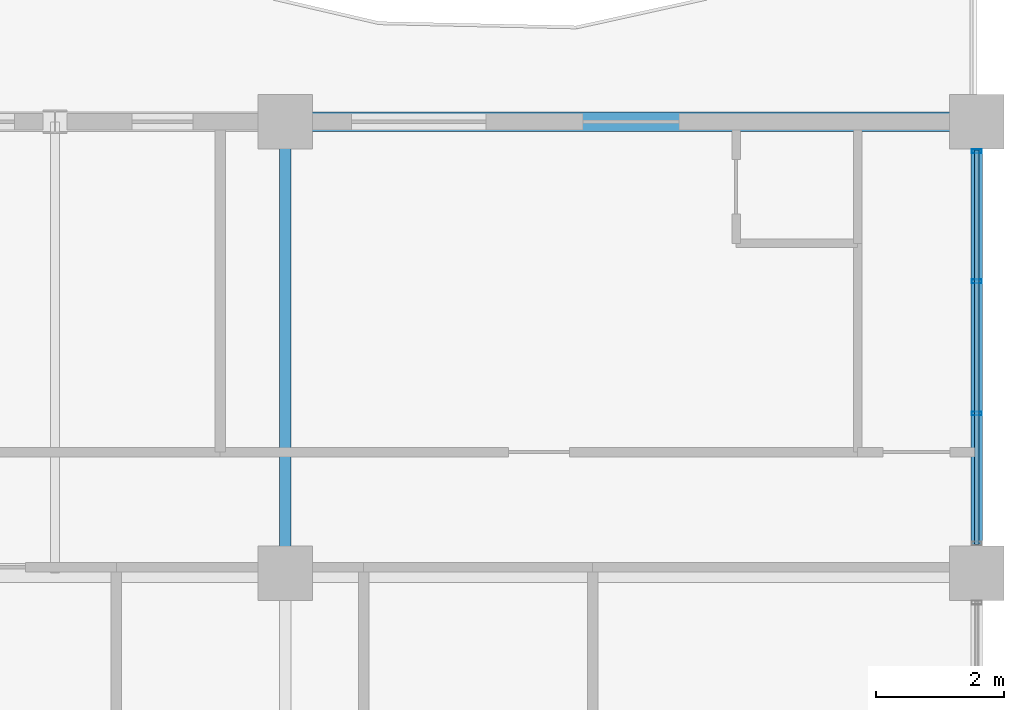
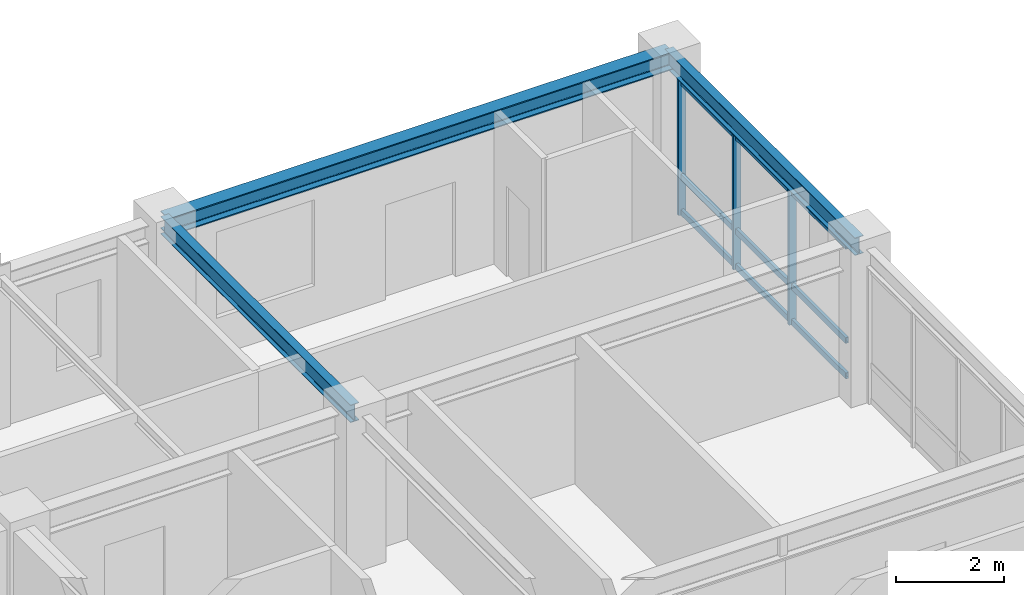
# One storey, part 4 of 11: 6 members, 3 beams, 1 element without a shape of its own.
"""IFC4 building model written with IfcOpenShell, lengths in metres."""

from ifc_helpers import new_model, si_unit, direction, frame, origin, origin_2d, place, context, subcontext, project, spatial, hollow_rectangle, i_section, extrude, source, transform, mapped, material, layer, layer_set, material_profile, profile_set, type_object, element, aggregate, save


model = new_model("IFC4")

# Units and contexts
model_context = context("Model", 3, precision=1e-05, world=origin(), true_north=direction((0.0, 1.0)))
body_context = subcontext(model_context, "Body", "Model", "MODEL_VIEW")
ifc_project = project(units=[si_unit("LENGTHUNIT", "METRE"), si_unit("AREAUNIT", "SQUARE_METRE"), si_unit("VOLUMEUNIT", "CUBIC_METRE"), si_unit("PLANEANGLEUNIT", "RADIAN"), si_unit("MASSUNIT", "GRAM", prefix="KILO")], contexts=[model_context])

# Site, building, storey
site_placement = place(None, origin())
site = spatial("IfcSite", under=ifc_project, at=site_placement, CompositionType="ELEMENT")
building_placement = place(site_placement, origin())
building = spatial("IfcBuilding", under=site, at=building_placement, Name="Kaliganga Portal Commons", CompositionType="ELEMENT")
storey_placement = place(building_placement, frame((0.0, 0.0, 257.300048828125)))
storey = spatial("IfcBuildingStorey", under=building, at=storey_placement, Name="L66", CompositionType="ELEMENT", Elevation=257.300048828125)

# Beams
ifc_material_1 = material(Name="Structural steel S355J2", Category="steel")
ifc_material_profile_1 = material_profile(ifc_material_1, i_section(OverallWidth=0.300048828125, OverallDepth=0.39990234375, WebThickness=0.013427734375, FlangeThickness=0.02392578125, FilletRadius=0.027099609375, at=origin_2d()), Name="HE 400 B")
ifc_profile_set_1 = profile_set([ifc_material_profile_1], Name="Structural steel S355J2 wide-flange")
beam_type_1 = type_object("IfcBeamType", Name="BM-SPAND-400", PredefinedType="SPANDREL", material=ifc_profile_set_1)
shared_shape_1 = source(origin(), body_context, "Body", "SweptSolid", [
    extrude(i_section(OverallWidth=0.300048828125, OverallDepth=0.39990234375, WebThickness=0.013427734375, FlangeThickness=0.02392578125, FilletRadius=0.027099609375, at=origin_2d()), origin(), (0.0, 0.0, 1.0), 10.800048828125),
])
beam_placement = place(storey_placement, frame((36.0, 43.199951171875, 3.27490234375), z_axis=(1.0, 0.0, 0.0), x_axis=(0.0, 1.0, 0.0)))
element("IfcBeam", 1, at=beam_placement, inside=storey, type_object=beam_type_1, Name="BM SP L66 AN 7", PredefinedType="SPANDREL", context=body_context, shape_type="MappedRepresentation", body=[
    mapped(shared_shape_1, transform((0.0, 0.0, 0.0), x_axis=(1.0, 0.0, 0.0), y_axis=(0.0, 1.0, 0.0), z_axis=(0.0, 0.0, 1.0), scale=1.0)),
])
ifc_material_profile_2 = material_profile(ifc_material_1, i_section(OverallWidth=0.179931640625, OverallDepth=0.39990234375, WebThickness=0.008544921875, FlangeThickness=0.013427734375, FilletRadius=0.02099609375, at=origin_2d()), Name="IPE 400")
ifc_profile_set_2 = profile_set([ifc_material_profile_2], Name="Structural steel S355J2 wide-flange")
beam_type_2 = type_object("IfcBeamType", Name="BM-FLR-400", PredefinedType="BEAM", material=ifc_profile_set_2)
shared_shape_2 = source(origin(), body_context, "Body", "SweptSolid", [
    extrude(i_section(OverallWidth=0.179931640625, OverallDepth=0.39990234375, WebThickness=0.008544921875, FlangeThickness=0.013427734375, FilletRadius=0.02099609375, at=origin_2d()), origin(), (0.0, 0.0, 1.0), 7.050048828125),
])
for number, where, z_axis, x_axis, name in (
    (2, (36.0, 36.14990234375, 3.27490234375), (0.0, 1.0, 0.0), (-1.0, 0.0, 0.0), "BM G L66 AN360"),
    (3, (46.800048828125, 36.14990234375, 3.27490234375), (0.0, 1.0, 0.0), (-1.0, 0.0, 0.0), "BM G L66 AN468"),
):
    element("IfcBeam", number, at=place(storey_placement, frame(where, z_axis=z_axis, x_axis=x_axis)), inside=storey, type_object=beam_type_2, Name=name, PredefinedType="BEAM", context=body_context, shape_type="MappedRepresentation", body=[
        mapped(shared_shape_2, transform((0.0, 0.0, 0.0), x_axis=(1.0, 0.0, 0.0), y_axis=(0.0, 1.0, 0.0), z_axis=(0.0, 0.0, 1.0), scale=1.0)),
    ])

# Curtain wall, members
ifc_material_2 = material(Name="Anodized Aluminium and Laminated Low-E Glass", Category="aluminium")
ifc_layer = layer(ifc_material_2, 0.18994140625)
ifc_layer_set = layer_set([ifc_layer], Name="Anodized Aluminium and Laminated Low-E Glass")
curtain_wall_type = type_object("IfcCurtainWallType", Name="CW-SYS-05", PredefinedType="NOTDEFINED", material=ifc_layer_set)
curtain_wall_placement = place(storey_placement, origin())
curtain_wall = element("IfcCurtainWall", 4, at=curtain_wall_placement, inside=storey, type_object=curtain_wall_type, Name="CW 05 L66 P1E01S3", PredefinedType="NOTDEFINED")
ifc_material_3 = material(Name="Dark Bronze Anodized Aluminium", Category="aluminium")
ifc_material_profile_3 = material_profile(ifc_material_3, hollow_rectangle(XDim=0.06005859375, YDim=0.159912109375, WallThickness=0.00341796875, at=origin_2d()), Name="ALU MULL 60x160x3.5")
ifc_profile_set_3 = profile_set([ifc_material_profile_3], Name="Dark Bronze Anodized Aluminium")
member_type_1 = type_object("IfcMemberType", Name="CW-MUL-160", PredefinedType="MULLION", material=ifc_profile_set_3)
shared_shape_3 = source(origin(), body_context, "Body", "SweptSolid", [
    extrude(hollow_rectangle(XDim=0.06005859375, YDim=0.159912109375, WallThickness=0.00341796875, at=origin_2d()), origin(), (0.0, 0.0, 1.0), 3.074951171875),
])
member_1_placement = place(storey_placement, frame((46.800048828125, 38.64208984375, 0.0), z_axis=(0.0, 0.0, 1.0), x_axis=(0.0, 1.0, 0.0)))
member_1 = element("IfcMember", 5, at=member_1_placement, type_object=member_type_1, Name="CW:05:L66:P1E01S3 Mullion 01", PredefinedType="MULLION", context=body_context, shape_type="MappedRepresentation", body=[
    mapped(shared_shape_3, transform((0.0, 0.0, 0.0), x_axis=(1.0, 0.0, 0.0), y_axis=(0.0, 1.0, 0.0), z_axis=(0.0, 0.0, 1.0), scale=1.0)),
])
member_2_placement = place(storey_placement, frame((46.800048828125, 40.7080078125, 0.0), z_axis=(0.0, 0.0, 1.0), x_axis=(0.0, 1.0, 0.0)))
member_2 = element("IfcMember", 6, at=member_2_placement, type_object=member_type_1, Name="CW:05:L66:P1E01S3 Mullion 02", PredefinedType="MULLION", context=body_context, shape_type="MappedRepresentation", body=[
    mapped(shared_shape_3, transform((0.0, 0.0, 0.0), x_axis=(1.0, 0.0, 0.0), y_axis=(0.0, 1.0, 0.0), z_axis=(0.0, 0.0, 1.0), scale=1.0)),
])
member_3_placement = place(storey_placement, frame((46.800048828125, 42.739013671875, 0.0), z_axis=(0.0, 0.0, 1.0), x_axis=(0.0, 1.0, 0.0)))
member_3 = element("IfcMember", 7, at=member_3_placement, type_object=member_type_1, Name="CW:05:L66:P1E01S3 Mullion 03", PredefinedType="MULLION", context=body_context, shape_type="MappedRepresentation", body=[
    mapped(shared_shape_3, transform((0.0, 0.0, 0.0), x_axis=(1.0, 0.0, 0.0), y_axis=(0.0, 1.0, 0.0), z_axis=(0.0, 0.0, 1.0), scale=1.0)),
])
ifc_material_profile_4 = material_profile(ifc_material_3, hollow_rectangle(XDim=0.06494140625, YDim=0.135009765625, WallThickness=0.00341796875, at=origin_2d()), Name="ALU TRAN 65x135x3.5")
ifc_profile_set_4 = profile_set([ifc_material_profile_4], Name="Dark Bronze Anodized Aluminium")
member_type_2 = type_object("IfcMemberType", Name="CW-TRN-135", PredefinedType="USERDEFINED", material=ifc_profile_set_4)
shared_shape_4 = source(origin(), body_context, "Body", "SweptSolid", [
    extrude(hollow_rectangle(XDim=0.06494140625, YDim=0.135009765625, WallThickness=0.00341796875, at=origin_2d()), origin(), (0.0, 0.0, 1.0), 6.157958984375),
])
member_4_placement = place(storey_placement, frame((46.800048828125, 36.595947265625, 0.06005859375), z_axis=(0.0, 1.0, 0.0), x_axis=(-1.0, 0.0, 0.0)))
member_4 = element("IfcMember", 8, at=member_4_placement, type_object=member_type_2, Name="CW:05:L66:P1E01S3 Transom 1", ObjectType="TRANSOM", PredefinedType="USERDEFINED", context=body_context, shape_type="MappedRepresentation", body=[
    mapped(shared_shape_4, transform((0.0, 0.0, 0.0), x_axis=(1.0, 0.0, 0.0), y_axis=(0.0, 1.0, 0.0), z_axis=(0.0, 0.0, 1.0), scale=1.0)),
])
member_5_placement = place(storey_placement, frame((46.800048828125, 36.595947265625, 0.86083984375), z_axis=(0.0, 1.0, 0.0), x_axis=(-1.0, 0.0, 0.0)))
member_5 = element("IfcMember", 9, at=member_5_placement, type_object=member_type_2, Name="CW:05:L66:P1E01S3 Transom 2", ObjectType="TRANSOM", PredefinedType="USERDEFINED", context=body_context, shape_type="MappedRepresentation", body=[
    mapped(shared_shape_4, transform((0.0, 0.0, 0.0), x_axis=(1.0, 0.0, 0.0), y_axis=(0.0, 1.0, 0.0), z_axis=(0.0, 0.0, 1.0), scale=1.0)),
])
member_6_placement = place(storey_placement, frame((46.800048828125, 36.595947265625, 2.994873046875), z_axis=(0.0, 1.0, 0.0), x_axis=(-1.0, 0.0, 0.0)))
member_6 = element("IfcMember", 10, at=member_6_placement, type_object=member_type_2, Name="CW:05:L66:P1E01S3 Transom 3", ObjectType="TRANSOM", PredefinedType="USERDEFINED", context=body_context, shape_type="MappedRepresentation", body=[
    mapped(shared_shape_4, transform((0.0, 0.0, 0.0), x_axis=(1.0, 0.0, 0.0), y_axis=(0.0, 1.0, 0.0), z_axis=(0.0, 0.0, 1.0), scale=1.0)),
])
aggregate(curtain_wall, [member_1, member_2, member_3, member_4, member_5, member_6])

save(model, "model.ifc")
